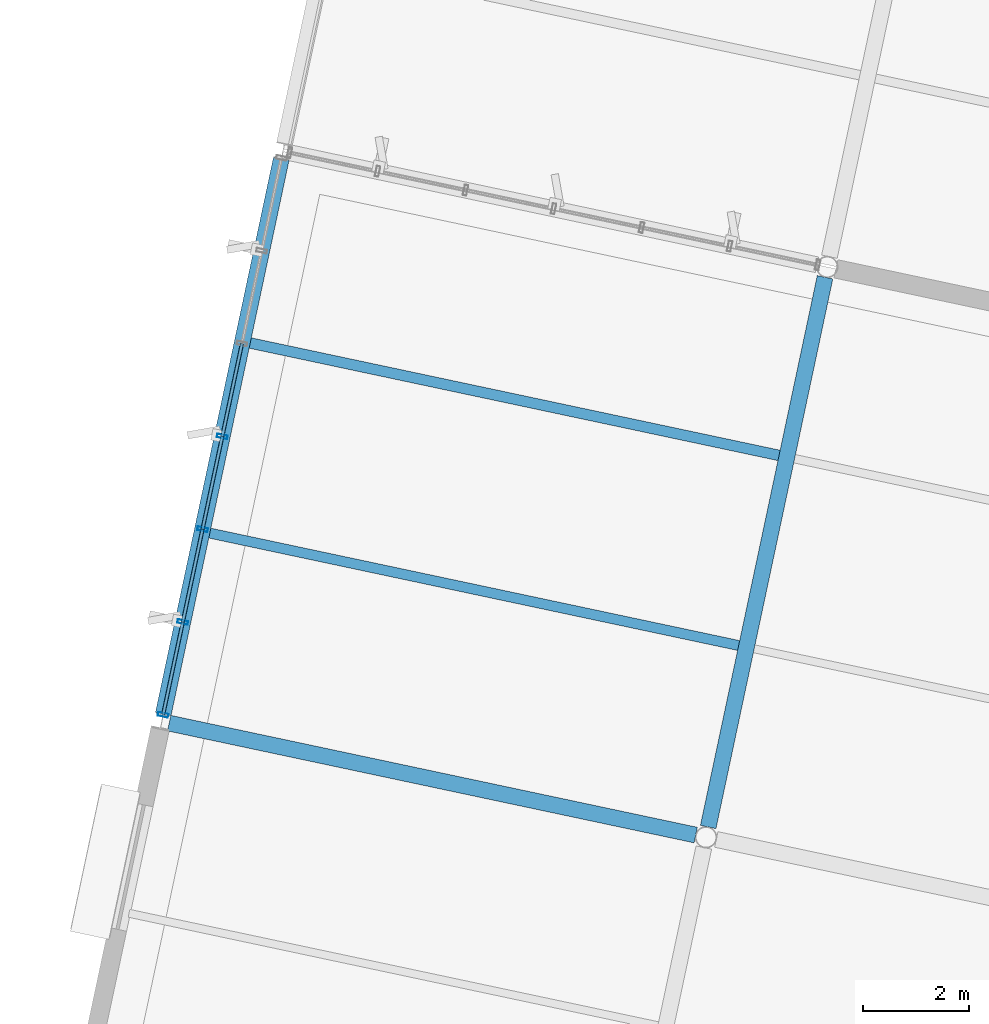
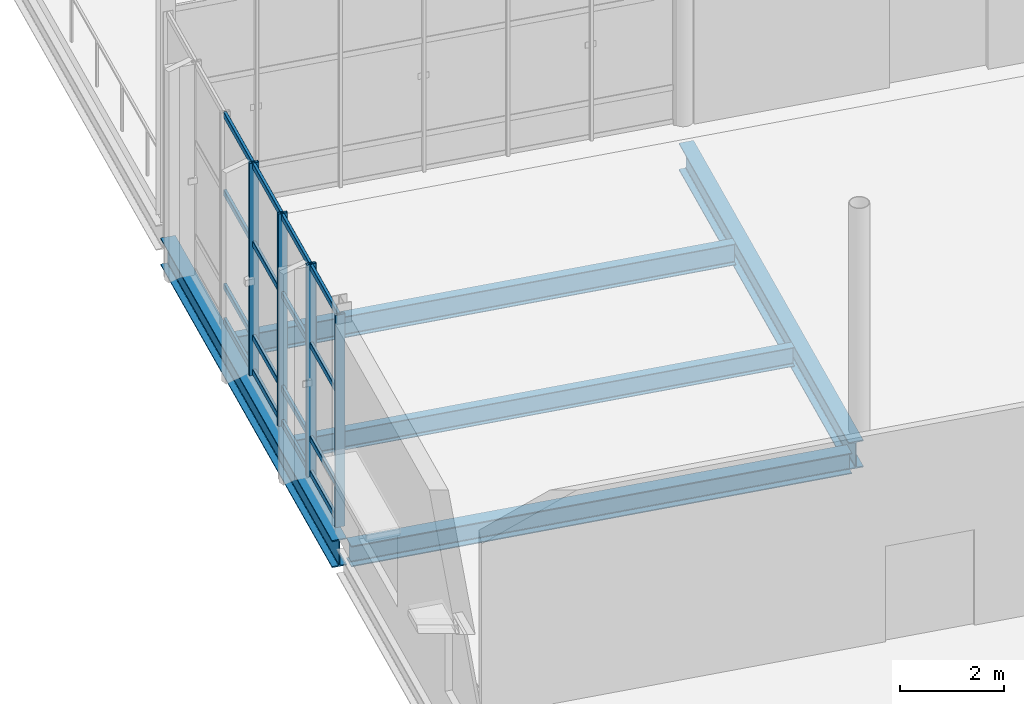
# One storey, part 37 of 176: 20 members, 5 beams, 1 element without a shape of its own.
"""IFC4 building model written with IfcOpenShell, lengths in metres."""

from ifc_helpers import new_model, si_unit, direction, frame, origin, origin_2d, place, context, subcontext, project, spatial, hollow_rectangle, i_section, extrude, material, layer, layer_set, material_profile, profile_set, type_object, element, aggregate, save


model = new_model("IFC4")

# Units and contexts
model_context = context("Model", 3, precision=1e-05, world=origin(), true_north=direction((0.0, 1.0)))
body_context = subcontext(model_context, "Body", "Model", "MODEL_VIEW")
ifc_project = project(units=[si_unit("LENGTHUNIT", "METRE"), si_unit("AREAUNIT", "SQUARE_METRE"), si_unit("VOLUMEUNIT", "CUBIC_METRE"), si_unit("PLANEANGLEUNIT", "RADIAN"), si_unit("MASSUNIT", "GRAM", prefix="KILO")], contexts=[model_context])

# Site, building, storey
site_placement = place(None, origin())
site = spatial("IfcSite", under=ifc_project, at=site_placement, CompositionType="ELEMENT")
building_placement = place(site_placement, origin())
building = spatial("IfcBuilding", under=site, at=building_placement, Name="Khorjan Park Terminus", CompositionType="ELEMENT")
storey_placement = place(building_placement, frame((0.0, 0.0, 6.0)))
storey = spatial("IfcBuildingStorey", under=building, at=storey_placement, Name="L01", CompositionType="ELEMENT", Elevation=6.0)

# Beams
ifc_material_1 = material(Name="Steel S355", Category="steel")
ifc_material_profile_1 = material_profile(ifc_material_1, i_section(OverallWidth=0.3, OverallDepth=0.49, WebThickness=0.012, FlangeThickness=0.023, FilletRadius=0.027, at=origin_2d()), Name="HEA 500")
ifc_profile_set_1 = profile_set([ifc_material_profile_1], Name="Steel S355")
beam_type_1 = type_object("IfcBeamType", Name="BM-HEA500", PredefinedType="BEAM", material=ifc_profile_set_1)
beam_1_placement = place(storey_placement, frame((-1.2841, 63.4891, -0.605), z_axis=(0.97814773947, -0.207911038112, 0.0), x_axis=(0.207911038112, 0.97814773947, 0.0)))
element("IfcBeam", 1, at=beam_1_placement, inside=storey, type_object=beam_type_1, Name="Primary skew-grid floor girder SB-A50 (L01)", PredefinedType="BEAM", context=body_context, shape_type="SweptSolid", body=[
    extrude(i_section(OverallWidth=0.3, OverallDepth=0.49, WebThickness=0.012, FlangeThickness=0.023, FilletRadius=0.027, at=origin_2d()), origin(), (0.0, 0.0, 1.0), 10.1567),
])
ifc_material_profile_2 = material_profile(ifc_material_1, i_section(OverallWidth=0.3, OverallDepth=0.64, WebThickness=0.0135, FlangeThickness=0.026, FilletRadius=0.027, at=origin_2d()), Name="HEA 650")
ifc_profile_set_2 = profile_set([ifc_material_profile_2], Name="Steel S355")
beam_type_2 = type_object("IfcBeamType", Name="BM-HEA650", PredefinedType="BEAM", material=ifc_profile_set_2)
beam_2_placement = place(storey_placement, frame((-1.3958, 63.6611, -0.68), z_axis=(0.207909789374, 0.978148004896, 0.0), x_axis=(-0.978148004896, 0.207909789374, 0.0)))
element("IfcBeam", 2, at=beam_2_placement, inside=storey, type_object=beam_type_2, Name="Primary skew-grid floor girder SB-A65 (L01)", PredefinedType="BEAM", context=body_context, shape_type="SweptSolid", body=[
    extrude(i_section(OverallWidth=0.3, OverallDepth=0.64, WebThickness=0.0135, FlangeThickness=0.026, FilletRadius=0.027, at=origin_2d()), origin(), (0.0, 0.0, 1.0), 10.7099),
])
beam_3_placement = place(storey_placement, frame((8.8858, 61.53, -0.68), z_axis=(0.207910301084, 0.97814789613, 0.0), x_axis=(-0.97814789613, 0.207910301084, 0.0)))
element("IfcBeam", 3, at=beam_3_placement, inside=storey, type_object=beam_type_2, Name="Primary skew-grid floor girder SB-A65 (L01)", PredefinedType="BEAM", context=body_context, shape_type="SweptSolid", body=[
    extrude(i_section(OverallWidth=0.3, OverallDepth=0.64, WebThickness=0.0135, FlangeThickness=0.026, FilletRadius=0.027, at=origin_2d()), origin(), (0.0, 0.0, 1.0), 10.6036),
])
ifc_material_profile_3 = material_profile(ifc_material_1, i_section(OverallWidth=0.19, OverallDepth=0.45, WebThickness=0.0094, FlangeThickness=0.0146, FilletRadius=0.021, at=origin_2d()), Name="IPE 450")
ifc_profile_set_3 = profile_set([ifc_material_profile_3], Name="Steel S355")
beam_type_3 = type_object("IfcBeamType", Name="JS-IPE450", PredefinedType="JOIST", material=ifc_profile_set_3)
beam_4_placement = place(storey_placement, frame((-0.5169, 67.0746, -0.585), z_axis=(0.978147562282, -0.207911871719, 0.0), x_axis=(0.207911871719, 0.978147562282, 0.0)))
element("IfcBeam", 4, at=beam_4_placement, inside=storey, type_object=beam_type_3, Name="Secondary composite floor joist SJ-45 (L01)", PredefinedType="JOIST", context=body_context, shape_type="SweptSolid", body=[
    extrude(i_section(OverallWidth=0.19, OverallDepth=0.45, WebThickness=0.0094, FlangeThickness=0.0146, FilletRadius=0.021, at=origin_2d()), origin(), (0.0, 0.0, 1.0), 10.2),
])
ifc_material_profile_4 = material_profile(ifc_material_1, i_section(OverallWidth=0.2, OverallDepth=0.5, WebThickness=0.0102, FlangeThickness=0.016, FilletRadius=0.021, at=origin_2d()), Name="IPE 500")
ifc_profile_set_4 = profile_set([ifc_material_profile_4], Name="Steel S355")
beam_type_4 = type_object("IfcBeamType", Name="JS-IPE500", PredefinedType="JOIST", material=ifc_profile_set_4)
beam_5_placement = place(storey_placement, frame((0.2455, 70.6611, -0.61), z_axis=(0.978147562282, -0.207911871719, 0.0), x_axis=(0.207911871719, 0.978147562282, 0.0)))
element("IfcBeam", 5, at=beam_5_placement, inside=storey, type_object=beam_type_4, Name="Secondary composite floor joist SJ-50 (L01)", PredefinedType="JOIST", context=body_context, shape_type="SweptSolid", body=[
    extrude(i_section(OverallWidth=0.2, OverallDepth=0.5, WebThickness=0.0102, FlangeThickness=0.016, FilletRadius=0.021, at=origin_2d()), origin(), (0.0, 0.0, 1.0), 10.2),
])

# Curtain wall, members
ifc_material_2 = material(Name="Anodized Bronze Aluminium", Category="aluminium")
ifc_layer = layer(ifc_material_2, 0.22)
ifc_layer_set = layer_set([ifc_layer], Name="Anodized Bronze Aluminium")
curtain_wall_type = type_object("IfcCurtainWallType", Name="CW-PAV-C", PredefinedType="NOTDEFINED", material=ifc_layer_set)
curtain_wall_placement = place(storey_placement, origin())
curtain_wall = element("IfcCurtainWall", 6, at=curtain_wall_placement, inside=storey, type_object=curtain_wall_type, Name="Unitized curtain wall CW-C (CW-V4-W-L01-B01)", PredefinedType="NOTDEFINED")
ifc_material_profile_5 = material_profile(ifc_material_2, hollow_rectangle(XDim=0.07, YDim=0.2, WallThickness=0.005, InnerFilletRadius=0.005, OuterFilletRadius=0.01, at=origin_2d()), Name="ALM 70x200x5")
ifc_profile_set_5 = profile_set([ifc_material_profile_5], Name="Anodized Bronze Aluminium")
member_type_1 = type_object("IfcMemberType", Name="ML-ALM-200", PredefinedType="MULLION", material=ifc_profile_set_5)
member_1_placement = place(storey_placement, frame((-0.2824, 68.8989, -0.035), z_axis=(0.0, 0.0, 1.0), x_axis=(-0.207906749457, -0.978148651039, 0.0)))
member_1 = element("IfcMember", 7, at=member_1_placement, type_object=member_type_1, Name="Curtain-wall mullion ML-20 (CW-V4-W-L01-B01-3)", PredefinedType="MULLION", context=body_context, shape_type="SweptSolid", body=[
    extrude(hollow_rectangle(XDim=0.07, YDim=0.2, WallThickness=0.005, InnerFilletRadius=0.005, OuterFilletRadius=0.01, at=origin_2d()), origin(), (0.0, 0.0, 1.0), 5.0),
])
member_2_placement = place(storey_placement, frame((-0.6546, 67.148, -0.035), z_axis=(0.0, 0.0, 1.0), x_axis=(-0.207906749457, -0.978148651039, 0.0)))
member_2 = element("IfcMember", 8, at=member_2_placement, type_object=member_type_1, Name="Curtain-wall mullion ML-20 (CW-V4-W-L01-B01-4)", PredefinedType="MULLION", context=body_context, shape_type="SweptSolid", body=[
    extrude(hollow_rectangle(XDim=0.07, YDim=0.2, WallThickness=0.005, InnerFilletRadius=0.005, OuterFilletRadius=0.01, at=origin_2d()), origin(), (0.0, 0.0, 1.0), 5.0),
])
member_3_placement = place(storey_placement, frame((-1.0267, 65.397, -0.035), z_axis=(0.0, 0.0, 1.0), x_axis=(-0.207906749457, -0.978148651039, 0.0)))
member_3 = element("IfcMember", 9, at=member_3_placement, type_object=member_type_1, Name="Curtain-wall mullion ML-20 (CW-V4-W-L01-B01-5)", PredefinedType="MULLION", context=body_context, shape_type="SweptSolid", body=[
    extrude(hollow_rectangle(XDim=0.07, YDim=0.2, WallThickness=0.005, InnerFilletRadius=0.005, OuterFilletRadius=0.01, at=origin_2d()), origin(), (0.0, 0.0, 1.0), 5.0),
])
member_4_placement = place(storey_placement, frame((-1.3989, 63.6461, -0.035), z_axis=(0.0, 0.0, 1.0), x_axis=(-0.207906749457, -0.978148651039, 0.0)))
member_4 = element("IfcMember", 10, at=member_4_placement, type_object=member_type_1, Name="Curtain-wall mullion ML-20 (CW-V4-W-L01-B01-6)", PredefinedType="MULLION", context=body_context, shape_type="SweptSolid", body=[
    extrude(hollow_rectangle(XDim=0.07, YDim=0.2, WallThickness=0.005, InnerFilletRadius=0.005, OuterFilletRadius=0.01, at=origin_2d()), origin(), (0.0, 0.0, 1.0), 5.0),
])
ifc_material_profile_6 = material_profile(ifc_material_2, hollow_rectangle(XDim=0.065, YDim=0.14, WallThickness=0.004, InnerFilletRadius=0.004, OuterFilletRadius=0.008, at=origin_2d()), Name="ALT 65x140x4")
ifc_profile_set_6 = profile_set([ifc_material_profile_6], Name="Anodized Bronze Aluminium")
member_type_2 = type_object("IfcMemberType", Name="TR-ALT-140", PredefinedType="USERDEFINED", material=ifc_profile_set_6)
member_5_placement = place(storey_placement, frame((0.0898, 70.6499, 0.04), z_axis=(-0.207918885104, -0.978146071513, 0.0), x_axis=(0.978146071513, -0.207918885104, 0.0)))
member_5 = element("IfcMember", 11, at=member_5_placement, type_object=member_type_2, Name="Curtain-wall transom TR-14 (CW-V4-W-L01-B01-2-1)", ObjectType="TRANSOM", PredefinedType="USERDEFINED", context=body_context, shape_type="SweptSolid", body=[
    extrude(hollow_rectangle(XDim=0.065, YDim=0.14, WallThickness=0.004, InnerFilletRadius=0.004, OuterFilletRadius=0.008, at=origin_2d()), origin(), (0.0, 0.0, 1.0), 1.7901),
])
member_6_placement = place(storey_placement, frame((0.0898, 70.6499, 0.85), z_axis=(-0.207918885104, -0.978146071513, 0.0), x_axis=(0.978146071513, -0.207918885104, 0.0)))
member_6 = element("IfcMember", 12, at=member_6_placement, type_object=member_type_2, Name="Curtain-wall transom TR-14 (CW-V4-W-L01-B01-2-2)", ObjectType="TRANSOM", PredefinedType="USERDEFINED", context=body_context, shape_type="SweptSolid", body=[
    extrude(hollow_rectangle(XDim=0.065, YDim=0.14, WallThickness=0.004, InnerFilletRadius=0.004, OuterFilletRadius=0.008, at=origin_2d()), origin(), (0.0, 0.0, 1.0), 1.7901),
])
member_7_placement = place(storey_placement, frame((0.0898, 70.6499, 3.0566), z_axis=(-0.207918885104, -0.978146071513, 0.0), x_axis=(0.978146071513, -0.207918885104, 0.0)))
member_7 = element("IfcMember", 13, at=member_7_placement, type_object=member_type_2, Name="Curtain-wall transom TR-14 (CW-V4-W-L01-B01-2-3)", ObjectType="TRANSOM", PredefinedType="USERDEFINED", context=body_context, shape_type="SweptSolid", body=[
    extrude(hollow_rectangle(XDim=0.065, YDim=0.14, WallThickness=0.004, InnerFilletRadius=0.004, OuterFilletRadius=0.008, at=origin_2d()), origin(), (0.0, 0.0, 1.0), 1.7901),
])
member_8_placement = place(storey_placement, frame((0.0898, 70.6499, 4.89), z_axis=(-0.207918885104, -0.978146071513, 0.0), x_axis=(0.978146071513, -0.207918885104, 0.0)))
member_8 = element("IfcMember", 14, at=member_8_placement, type_object=member_type_2, Name="Curtain-wall transom TR-14 (CW-V4-W-L01-B01-2-4)", ObjectType="TRANSOM", PredefinedType="USERDEFINED", context=body_context, shape_type="SweptSolid", body=[
    extrude(hollow_rectangle(XDim=0.065, YDim=0.14, WallThickness=0.004, InnerFilletRadius=0.004, OuterFilletRadius=0.008, at=origin_2d()), origin(), (0.0, 0.0, 1.0), 1.7901),
])
member_9_placement = place(storey_placement, frame((-0.2824, 68.8989, 0.04), z_axis=(-0.207930246676, -0.97814365638, 0.0), x_axis=(0.97814365638, -0.207930246676, 0.0)))
member_9 = element("IfcMember", 15, at=member_9_placement, type_object=member_type_2, Name="Curtain-wall transom TR-14 (CW-V4-W-L01-B01-3-1)", ObjectType="TRANSOM", PredefinedType="USERDEFINED", context=body_context, shape_type="SweptSolid", body=[
    extrude(hollow_rectangle(XDim=0.065, YDim=0.14, WallThickness=0.004, InnerFilletRadius=0.004, OuterFilletRadius=0.008, at=origin_2d()), origin(), (0.0, 0.0, 1.0), 1.79),
])
member_10_placement = place(storey_placement, frame((-0.2824, 68.8989, 0.85), z_axis=(-0.207930246676, -0.97814365638, 0.0), x_axis=(0.97814365638, -0.207930246676, 0.0)))
member_10 = element("IfcMember", 16, at=member_10_placement, type_object=member_type_2, Name="Curtain-wall transom TR-14 (CW-V4-W-L01-B01-3-2)", ObjectType="TRANSOM", PredefinedType="USERDEFINED", context=body_context, shape_type="SweptSolid", body=[
    extrude(hollow_rectangle(XDim=0.065, YDim=0.14, WallThickness=0.004, InnerFilletRadius=0.004, OuterFilletRadius=0.008, at=origin_2d()), origin(), (0.0, 0.0, 1.0), 1.79),
])
member_11_placement = place(storey_placement, frame((-0.2824, 68.8989, 3.0566), z_axis=(-0.207930246676, -0.97814365638, 0.0), x_axis=(0.97814365638, -0.207930246676, 0.0)))
member_11 = element("IfcMember", 17, at=member_11_placement, type_object=member_type_2, Name="Curtain-wall transom TR-14 (CW-V4-W-L01-B01-3-3)", ObjectType="TRANSOM", PredefinedType="USERDEFINED", context=body_context, shape_type="SweptSolid", body=[
    extrude(hollow_rectangle(XDim=0.065, YDim=0.14, WallThickness=0.004, InnerFilletRadius=0.004, OuterFilletRadius=0.008, at=origin_2d()), origin(), (0.0, 0.0, 1.0), 1.79),
])
member_12_placement = place(storey_placement, frame((-0.2824, 68.8989, 4.89), z_axis=(-0.207930246676, -0.97814365638, 0.0), x_axis=(0.97814365638, -0.207930246676, 0.0)))
member_12 = element("IfcMember", 18, at=member_12_placement, type_object=member_type_2, Name="Curtain-wall transom TR-14 (CW-V4-W-L01-B01-3-4)", ObjectType="TRANSOM", PredefinedType="USERDEFINED", context=body_context, shape_type="SweptSolid", body=[
    extrude(hollow_rectangle(XDim=0.065, YDim=0.14, WallThickness=0.004, InnerFilletRadius=0.004, OuterFilletRadius=0.008, at=origin_2d()), origin(), (0.0, 0.0, 1.0), 1.79),
])
member_13_placement = place(storey_placement, frame((-0.6546, 67.148, 0.04), z_axis=(-0.207865436968, -0.97815743115, 0.0), x_axis=(0.97815743115, -0.207865436968, 0.0)))
member_13 = element("IfcMember", 19, at=member_13_placement, type_object=member_type_2, Name="Curtain-wall transom TR-14 (CW-V4-W-L01-B01-4-1)", ObjectType="TRANSOM", PredefinedType="USERDEFINED", context=body_context, shape_type="SweptSolid", body=[
    extrude(hollow_rectangle(XDim=0.065, YDim=0.14, WallThickness=0.004, InnerFilletRadius=0.004, OuterFilletRadius=0.008, at=origin_2d()), origin(), (0.0, 0.0, 1.0), 1.7901),
])
member_14_placement = place(storey_placement, frame((-0.6546, 67.148, 0.85), z_axis=(-0.207865436968, -0.97815743115, 0.0), x_axis=(0.97815743115, -0.207865436968, 0.0)))
member_14 = element("IfcMember", 20, at=member_14_placement, type_object=member_type_2, Name="Curtain-wall transom TR-14 (CW-V4-W-L01-B01-4-2)", ObjectType="TRANSOM", PredefinedType="USERDEFINED", context=body_context, shape_type="SweptSolid", body=[
    extrude(hollow_rectangle(XDim=0.065, YDim=0.14, WallThickness=0.004, InnerFilletRadius=0.004, OuterFilletRadius=0.008, at=origin_2d()), origin(), (0.0, 0.0, 1.0), 1.7901),
])
member_15_placement = place(storey_placement, frame((-0.6546, 67.148, 3.0566), z_axis=(-0.207865436968, -0.97815743115, 0.0), x_axis=(0.97815743115, -0.207865436968, 0.0)))
member_15 = element("IfcMember", 21, at=member_15_placement, type_object=member_type_2, Name="Curtain-wall transom TR-14 (CW-V4-W-L01-B01-4-3)", ObjectType="TRANSOM", PredefinedType="USERDEFINED", context=body_context, shape_type="SweptSolid", body=[
    extrude(hollow_rectangle(XDim=0.065, YDim=0.14, WallThickness=0.004, InnerFilletRadius=0.004, OuterFilletRadius=0.008, at=origin_2d()), origin(), (0.0, 0.0, 1.0), 1.7901),
])
member_16_placement = place(storey_placement, frame((-0.6546, 67.148, 4.89), z_axis=(-0.207865436968, -0.97815743115, 0.0), x_axis=(0.97815743115, -0.207865436968, 0.0)))
member_16 = element("IfcMember", 22, at=member_16_placement, type_object=member_type_2, Name="Curtain-wall transom TR-14 (CW-V4-W-L01-B01-4-4)", ObjectType="TRANSOM", PredefinedType="USERDEFINED", context=body_context, shape_type="SweptSolid", body=[
    extrude(hollow_rectangle(XDim=0.065, YDim=0.14, WallThickness=0.004, InnerFilletRadius=0.004, OuterFilletRadius=0.008, at=origin_2d()), origin(), (0.0, 0.0, 1.0), 1.7901),
])
member_17_placement = place(storey_placement, frame((-1.0267, 65.397, 0.04), z_axis=(-0.207930246676, -0.97814365638, 0.0), x_axis=(0.97814365638, -0.207930246676, 0.0)))
member_17 = element("IfcMember", 23, at=member_17_placement, type_object=member_type_2, Name="Curtain-wall transom TR-14 (CW-V4-W-L01-B01-5-1)", ObjectType="TRANSOM", PredefinedType="USERDEFINED", context=body_context, shape_type="SweptSolid", body=[
    extrude(hollow_rectangle(XDim=0.065, YDim=0.14, WallThickness=0.004, InnerFilletRadius=0.004, OuterFilletRadius=0.008, at=origin_2d()), origin(), (0.0, 0.0, 1.0), 1.79),
])
member_18_placement = place(storey_placement, frame((-1.0267, 65.397, 0.85), z_axis=(-0.207930246676, -0.97814365638, 0.0), x_axis=(0.97814365638, -0.207930246676, 0.0)))
member_18 = element("IfcMember", 24, at=member_18_placement, type_object=member_type_2, Name="Curtain-wall transom TR-14 (CW-V4-W-L01-B01-5-2)", ObjectType="TRANSOM", PredefinedType="USERDEFINED", context=body_context, shape_type="SweptSolid", body=[
    extrude(hollow_rectangle(XDim=0.065, YDim=0.14, WallThickness=0.004, InnerFilletRadius=0.004, OuterFilletRadius=0.008, at=origin_2d()), origin(), (0.0, 0.0, 1.0), 1.79),
])
member_19_placement = place(storey_placement, frame((-1.0267, 65.397, 3.0566), z_axis=(-0.207930246676, -0.97814365638, 0.0), x_axis=(0.97814365638, -0.207930246676, 0.0)))
member_19 = element("IfcMember", 25, at=member_19_placement, type_object=member_type_2, Name="Curtain-wall transom TR-14 (CW-V4-W-L01-B01-5-3)", ObjectType="TRANSOM", PredefinedType="USERDEFINED", context=body_context, shape_type="SweptSolid", body=[
    extrude(hollow_rectangle(XDim=0.065, YDim=0.14, WallThickness=0.004, InnerFilletRadius=0.004, OuterFilletRadius=0.008, at=origin_2d()), origin(), (0.0, 0.0, 1.0), 1.79),
])
member_20_placement = place(storey_placement, frame((-1.0267, 65.397, 4.89), z_axis=(-0.207930246676, -0.97814365638, 0.0), x_axis=(0.97814365638, -0.207930246676, 0.0)))
member_20 = element("IfcMember", 26, at=member_20_placement, type_object=member_type_2, Name="Curtain-wall transom TR-14 (CW-V4-W-L01-B01-5-4)", ObjectType="TRANSOM", PredefinedType="USERDEFINED", context=body_context, shape_type="SweptSolid", body=[
    extrude(hollow_rectangle(XDim=0.065, YDim=0.14, WallThickness=0.004, InnerFilletRadius=0.004, OuterFilletRadius=0.008, at=origin_2d()), origin(), (0.0, 0.0, 1.0), 1.79),
])
aggregate(curtain_wall, [member_1, member_2, member_3, member_4, member_5, member_6, member_7, member_8, member_9, member_10, member_11, member_12, member_13, member_14, member_15, member_16, member_17, member_18, member_19, member_20])

save(model, "model.ifc")
